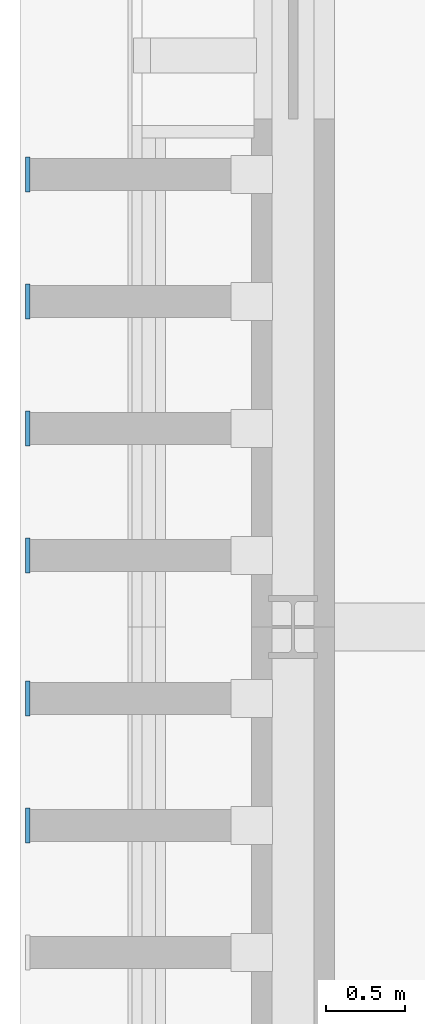
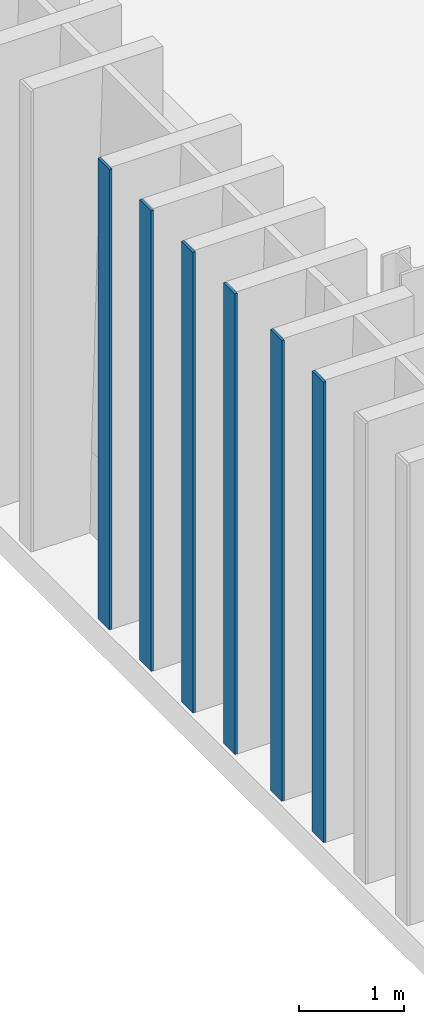
# One storey, part 52 of 120: 6 plates.
"""IFC4 building model written with IfcOpenShell, lengths in metres."""

from ifc_helpers import new_model, si_unit, direction, frame, origin, origin_2d, place, context, subcontext, project, spatial, rectangle, extrude, material, layer, layer_set, type_object, element, save


model = new_model("IFC4")

# Units and contexts
model_context = context("Model", 3, precision=1e-05, world=origin(), true_north=direction((0.0, 1.0)))
body_context = subcontext(model_context, "Body", "Model", "MODEL_VIEW")
ifc_project = project(units=[si_unit("LENGTHUNIT", "METRE"), si_unit("AREAUNIT", "SQUARE_METRE"), si_unit("VOLUMEUNIT", "CUBIC_METRE"), si_unit("PLANEANGLEUNIT", "RADIAN"), si_unit("MASSUNIT", "GRAM", prefix="KILO")], contexts=[model_context])

# Site, building, storey
site_placement = place(None, origin())
site = spatial("IfcSite", under=ifc_project, at=site_placement, CompositionType="ELEMENT")
building_placement = place(site_placement, origin())
building = spatial("IfcBuilding", under=site, at=building_placement, Name="Narikvali Park Central Library", CompositionType="ELEMENT")
storey_placement = place(building_placement, origin())
storey = spatial("IfcBuildingStorey", under=building, at=storey_placement, Name="L00", CompositionType="ELEMENT", Elevation=0.0)

# Plates
ifc_material = material(Name="Anodised Bronze Aluminium", Category="aluminium")
ifc_layer = layer(ifc_material, 0.028076171875, Name="Anodised Bronze Aluminium")
ifc_layer_set = layer_set([ifc_layer], Name="Anodised Bronze Aluminium")
plate_type = type_object("IfcPlateType", Name="Vertical Brick Fin Bronze Bullnose Cap 28", PredefinedType="SHEET", material=ifc_layer_set)
for number, where, z_axis, x_axis, name in (
    (1, (-1.672119140625, 63.550048828125, 0.010009765625), (0.0, 0.0, 1.0), (1.0, 0.0, 0.0), "West Stacks Fin Bullnose Trim 205"),
    (2, (-1.672119140625, 64.35009765625, 0.010009765625), (0.0, 0.0, 1.0), (1.0, 0.0, 0.0), "West Stacks Fin Bullnose Trim 211"),
    (3, (-1.672119140625, 65.25, 0.010009765625), (0.0, 0.0, 1.0), (1.0, 0.0, 0.0), "West Stacks Fin Bullnose Trim 217"),
    (4, (-1.672119140625, 66.050048828125, 0.010009765625), (0.0, 0.0, 1.0), (1.0, 0.0, 0.0), "West Stacks Fin Bullnose Trim 223"),
    (5, (-1.672119140625, 66.85009765625, 0.010009765625), (0.0, 0.0, 1.0), (1.0, 0.0, 0.0), "West Stacks Fin Bullnose Trim 229"),
    (6, (-1.672119140625, 67.64990234375, 0.010009765625), (0.0, 0.0, 1.0), (1.0, 0.0, 0.0), "West Stacks Fin Bullnose Trim 235"),
):
    element("IfcPlate", number, at=place(storey_placement, frame(where, z_axis=z_axis, x_axis=x_axis)), inside=storey, type_object=plate_type, Name=name, PredefinedType="SHEET", context=body_context, shape_type="SweptSolid", body=[
        extrude(rectangle(XDim=0.028076171875, YDim=0.219970703125, at=origin_2d()), origin(), (0.0, 0.0, 1.0), 5.3798828125),
    ])

save(model, "model.ifc")
